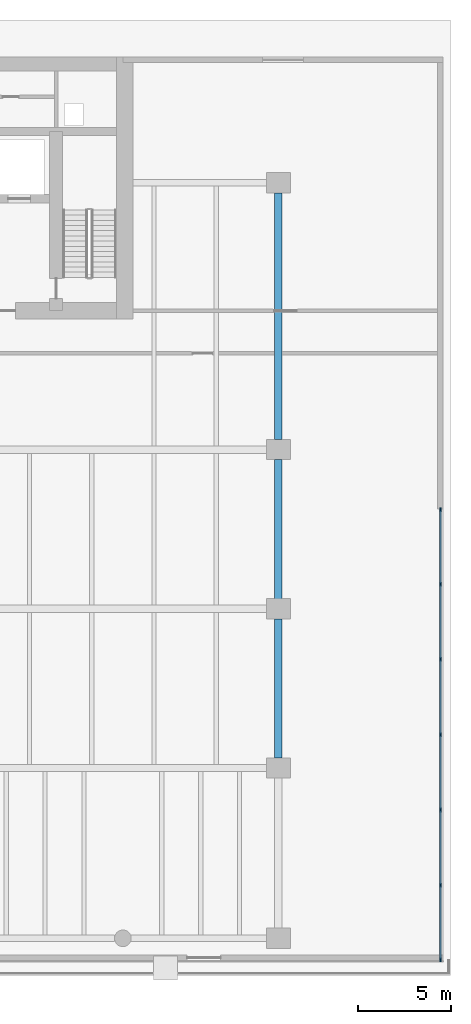
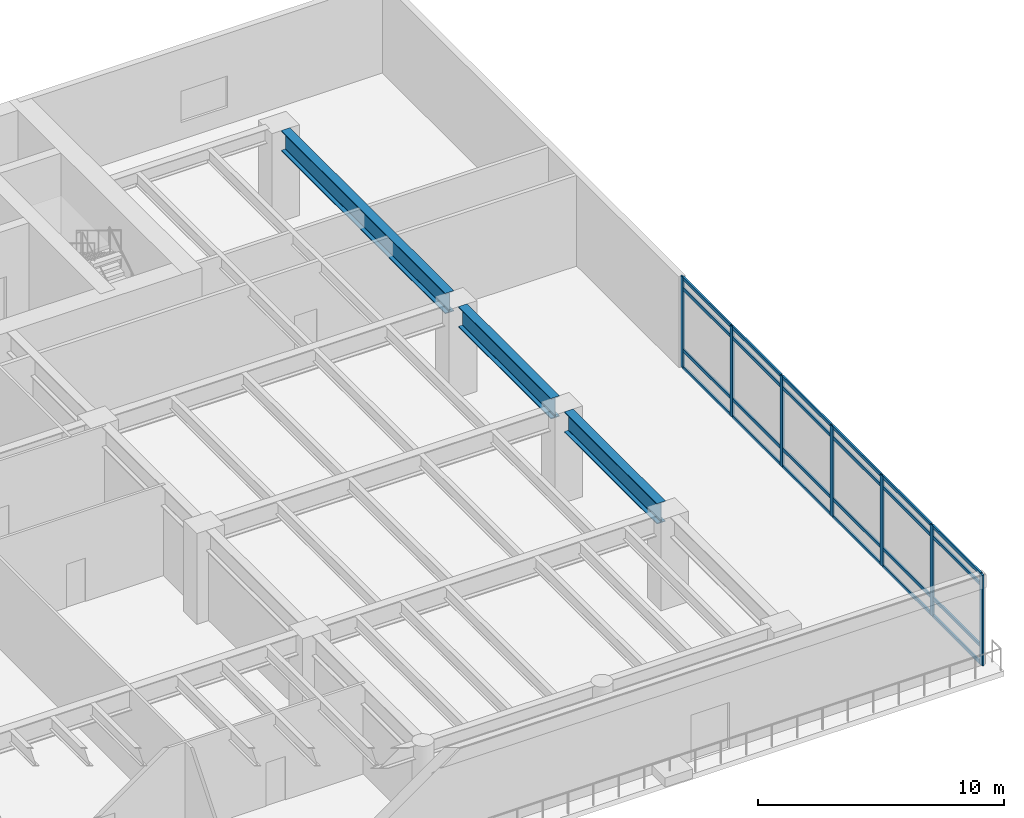
# One storey, part 4 of 14: 31 members, 3 beams, 1 element without a shape of its own.
"""IFC4 building model written with IfcOpenShell, lengths in metres."""

import ifcopenshell
import ifcopenshell.guid

model = None  # the IFC model being written
_history = None  # IfcOwnerHistory: only IFC2X3 demands one
_inside = {}  # id of a spatial element -> (the spatial element, [elements in it])
_under = {}  # id of a project, library or spatial element -> (it, [spatial elements below it])
_declared = {}  # id of a project -> (the project, [libraries it declares])
_typed = {}  # id of a type object -> (the type object, [elements of that type])
_made_of = {}  # id of a material, layer set ... -> (it, [elements and type objects made of it])


def new_model(schema):
    """Start an empty IFC model of exactly this schema.

    Asked for "IFC4X3", IfcOpenShell would pick the latest addendum, in which some entities
    have other attributes; the version numbers below select the first issue.
    IFC2X3 requires an IfcOwnerHistory on every rooted entity: one is made here for all.
    """
    global model, _history
    if schema == "IFC4X3":
        model = ifcopenshell.file(schema_version=(4, 3, 0, 0))
    else:
        model = ifcopenshell.file(schema=schema)
    _inside.clear()
    _under.clear()
    _declared.clear()
    _typed.clear()
    _made_of.clear()
    _history = None
    if model.schema == "IFC2X3":
        org = make("IfcOrganization", Name="unknown")
        user = make(
            "IfcPersonAndOrganization",
            ThePerson=make("IfcPerson", FamilyName="unknown"),
            TheOrganization=org,
        )
        app = make(
            "IfcApplication",
            ApplicationDeveloper=org,
            Version="unknown",
            ApplicationFullName="unknown",
            ApplicationIdentifier="unknown",
        )
        _history = make(
            "IfcOwnerHistory",
            OwningUser=user,
            OwningApplication=app,
            ChangeAction="ADDED",
            CreationDate=0,
        )
    return model


def make(cls, **values):
    """One entity of the class cls with the attributes given. An attribute that is None is left unset."""
    return model.create_entity(
        cls, **{name: value for name, value in values.items() if value is not None}
    )


def rooted(cls, **values):
    """An entity with a GlobalId (a new one), such as an element, a storey or a relation."""
    return make(cls, GlobalId=ifcopenshell.guid.new(), OwnerHistory=_history, **values)


def si_unit(unit_type, name, prefix=None):
    """IfcSIUnit, for example si_unit("LENGTHUNIT", "METRE", prefix="MILLI")."""
    return make("IfcSIUnit", UnitType=unit_type, Prefix=prefix, Name=name)


def assignment(units):
    """IfcUnitAssignment: the units of a project."""
    return None if units is None else make("IfcUnitAssignment", Units=units)


def point(xyz):
    """IfcCartesianPoint."""
    return None if xyz is None else make("IfcCartesianPoint", Coordinates=xyz)


def direction(xyz):
    """IfcDirection."""
    return None if xyz is None else make("IfcDirection", DirectionRatios=xyz)


def frame(location, z_axis=None, x_axis=None):
    """IfcAxis2Placement3D, a coordinate frame: its origin and axes. An axis left out is left unset."""
    return make(
        "IfcAxis2Placement3D",
        Location=point(location),
        Axis=direction(z_axis),
        RefDirection=direction(x_axis),
    )


def frame_2d(location, x_axis=None):
    """IfcAxis2Placement2D, a coordinate frame in the plane: its origin and x axis."""
    return make(
        "IfcAxis2Placement2D", Location=point(location), RefDirection=direction(x_axis)
    )


def origin():
    """The frame at (0, 0, 0) with its axes left unset."""
    return frame((0.0, 0.0, 0.0))


def origin_2d():
    """The frame at (0, 0) in the plane with its x axis left unset."""
    return frame_2d((0.0, 0.0))


def place(relative_to, where):
    """IfcLocalPlacement: puts the frame where relative to a parent placement (None: the world)."""
    return make(
        "IfcLocalPlacement", PlacementRelTo=relative_to, RelativePlacement=where
    )


def context(
    kind, dimensions, precision=None, world=None, true_north=None, identifier=None
):
    """IfcGeometricRepresentationContext, for example the 3D "Model" context."""
    return make(
        "IfcGeometricRepresentationContext",
        ContextIdentifier=identifier,
        ContextType=kind,
        CoordinateSpaceDimension=dimensions,
        Precision=precision,
        WorldCoordinateSystem=world,
        TrueNorth=true_north,
    )


def subcontext(parent, identifier, kind, view, scale=None):
    """IfcGeometricRepresentationSubContext, for example "Body" below "Model"."""
    return make(
        "IfcGeometricRepresentationSubContext",
        ContextIdentifier=identifier,
        ContextType=kind,
        ParentContext=parent,
        TargetScale=scale,
        TargetView=view,
    )


def project(units=None, contexts=None):
    """IfcProject with its units and contexts."""
    return rooted(
        "IfcProject",
        Name="project",
        RepresentationContexts=contexts,
        UnitsInContext=assignment(units),
    )


def spatial(cls, under=None, at=None, **own):
    """A site, building, storey or space (cls), placed at a placement, below another one or the project."""
    s = rooted(cls, ObjectPlacement=at, **own)
    if under is not None:
        _under.setdefault(under.id(), (under, []))[1].append(s)
    return s


def profile(cls, at=None, kind="AREA", **sizes):
    """A parametric profile (cls). Its sizes go by their IFC names, for example OverallWidth=200.0."""
    return make(cls, ProfileType=kind, Position=at, **sizes)


def rectangle(**sizes):
    """IfcRectangleProfileDef."""
    return profile("IfcRectangleProfileDef", **sizes)


def i_section(**sizes):
    """IfcIShapeProfileDef."""
    return profile("IfcIShapeProfileDef", **sizes)


def extrude(swept, where, along, depth):
    """IfcExtrudedAreaSolid: the profile swept, set in the frame where, extruded along a direction by depth."""
    return make(
        "IfcExtrudedAreaSolid",
        SweptArea=swept,
        Position=where,
        ExtrudedDirection=direction(along),
        Depth=depth,
    )


def shape(context_of_items, identifier, shape_type, items):
    """IfcShapeRepresentation: the items that make up one representation, for example the "Body"."""
    return make(
        "IfcShapeRepresentation",
        ContextOfItems=context_of_items,
        RepresentationIdentifier=identifier,
        RepresentationType=shape_type,
        Items=items,
    )


def material(Name=None, Category=None):
    """IfcMaterial."""
    return make("IfcMaterial", Name=Name, Category=Category)


def layer(
    of_material, thickness, ventilated=None, Name=None, Category=None, Priority=None
):
    """IfcMaterialLayer: one layer of a wall or slab, of a material (None: an air gap)."""
    return make(
        "IfcMaterialLayer",
        Material=of_material,
        LayerThickness=thickness,
        IsVentilated=ventilated,
        Name=Name,
        Category=Category,
        Priority=Priority,
    )


def layer_set(layers, Name=None):
    """IfcMaterialLayerSet."""
    return make("IfcMaterialLayerSet", MaterialLayers=layers, LayerSetName=Name)


def material_profile(
    of_material, cross_section, Name=None, Category=None, Priority=None
):
    """IfcMaterialProfile: a cross section and its material."""
    return make(
        "IfcMaterialProfile",
        Name=Name,
        Material=of_material,
        Profile=cross_section,
        Priority=Priority,
        Category=Category,
    )


def profile_set(profiles, Name=None, composite=None):
    """IfcMaterialProfileSet."""
    return make(
        "IfcMaterialProfileSet",
        Name=Name,
        MaterialProfiles=profiles,
        CompositeProfile=composite,
    )


def made_of(thing, what):
    """Note that an element or type object is made of a material, layer set ...; save() writes the relation."""
    if what is not None:
        _made_of.setdefault(what.id(), (what, []))[1].append(thing)
    return thing


def type_object(cls, material=None, **own):
    """A type object (cls), such as IfcWallType, which elements share."""
    return made_of(rooted(cls, **own), material)


def element(
    cls,
    number,
    at=None,
    inside=None,
    cuts=None,
    type_object=None,
    material=None,
    context=None,
    identifier="Body",
    shape_type=None,
    held_by="IfcProductDefinitionShape",
    body=None,
    shapes=None,
    **own,
):
    """One element of the class cls, such as IfcWall. Its Tag is "e" and its number.

    at: its placement. inside: the storey or other place that contains it. cuts: it is an
    opening in that element (IfcRelVoidsElement). A single representation is given by context,
    identifier, shape_type and body (its items); several are given by shapes. held_by: the class
    of the entity that holds the representations. save() writes the other relations.
    """
    e = rooted(cls, Tag="e%d" % number, ObjectPlacement=at, **own)
    if body is not None:
        shapes = [shape(context, identifier, shape_type, body)]
    if shapes is not None:
        e.Representation = make(held_by, Representations=shapes)
    if inside is not None:
        _inside.setdefault(inside.id(), (inside, []))[1].append(e)
    if cuts is not None:
        rooted(
            "IfcRelVoidsElement", RelatingBuildingElement=cuts, RelatedOpeningElement=e
        )
    if type_object is not None:
        _typed.setdefault(type_object.id(), (type_object, []))[1].append(e)
    return made_of(e, material)


def aggregate(whole, parts):
    """IfcRelAggregates: a whole, such as a stair, and the parts it consists of."""
    return rooted("IfcRelAggregates", RelatingObject=whole, RelatedObjects=parts)


def save(model, path):
    """Write the relations noted so far, then the file.

    IfcRelAggregates (storeys below a building ...), IfcRelContainedInSpatialStructure (elements
    in a storey), IfcRelDefinesByType, IfcRelAssociatesMaterial and IfcRelDeclares: one each for
    every whole, place, type object, material and project.
    """
    for whole, parts in _under.values():
        aggregate(whole, parts)
    for where, things in _inside.values():
        rooted(
            "IfcRelContainedInSpatialStructure",
            RelatedElements=things,
            RelatingStructure=where,
        )
    for kind, things in _typed.values():
        rooted("IfcRelDefinesByType", RelatedObjects=things, RelatingType=kind)
    for what, things in _made_of.values():
        rooted("IfcRelAssociatesMaterial", RelatedObjects=things, RelatingMaterial=what)
    for by, libraries in _declared.values():
        rooted("IfcRelDeclares", RelatingContext=by, RelatedDefinitions=libraries)
    model.write(path)


model = new_model("IFC4")

# Units and contexts
model_context = context("Model", 3, precision=1e-05, world=origin(), true_north=direction((0.0, 1.0)))
body_context = subcontext(model_context, "Body", "Model", "MODEL_VIEW")
ifc_project = project(units=[si_unit("LENGTHUNIT", "METRE"), si_unit("AREAUNIT", "SQUARE_METRE"), si_unit("VOLUMEUNIT", "CUBIC_METRE"), si_unit("PLANEANGLEUNIT", "RADIAN"), si_unit("MASSUNIT", "GRAM", prefix="KILO")], contexts=[model_context])

# Site, building, storey
site_placement = place(None, origin())
site = spatial("IfcSite", under=ifc_project, at=site_placement, CompositionType="ELEMENT")
building_placement = place(site_placement, origin())
building = spatial("IfcBuilding", under=site, at=building_placement, Name="Caelmar Bay Residences", CompositionType="ELEMENT")
storey_placement = place(building_placement, frame((0.0, 0.0, 15.0)))
storey = spatial("IfcBuildingStorey", under=building, at=storey_placement, Name="L03", CompositionType="ELEMENT", Elevation=15.0)

# Beams
ifc_material_1 = material(Name="Steel ASTM A992 Grade 50", Category="steel")
ifc_material_profile_1 = material_profile(ifc_material_1, i_section(OverallWidth=0.404052734375, OverallDepth=1.02099609375, WebThickness=0.025390625, FlangeThickness=0.0458984375, FilletRadius=0.02294921875, at=origin_2d()), Name="W40X324")
ifc_profile_set_1 = profile_set([ifc_material_profile_1], Name="Steel ASTM A992 Grade 50")
beam_type = type_object("IfcBeamType", Name="BM-GRD-W40X324", PredefinedType="BEAM", material=ifc_profile_set_1)
for number, where, z_axis, x_axis, name in (
    (1, (67.89990234375, 12.739990234375, 3.989501953125), (0.0, 1.0, 0.0), (-1.0, 0.0, 0.0), "L03 North-South Girder X=67.90 (12.2-20.8)"),
    (2, (67.89990234375, 21.340087890625, 3.989501953125), (0.0, 1.0, 0.0), (-1.0, 0.0, 0.0), "L03 North-South Girder X=67.90 (20.8-29.4)"),
):
    element("IfcBeam", number, at=place(storey_placement, frame(where, z_axis=z_axis, x_axis=x_axis)), inside=storey, type_object=beam_type, Name=name, PredefinedType="BEAM", context=body_context, shape_type="SweptSolid", body=[
        extrude(i_section(OverallWidth=0.404052734375, OverallDepth=1.02099609375, WebThickness=0.025390625, FlangeThickness=0.0458984375, FilletRadius=0.02294921875, at=origin_2d()), origin(), (0.0, 0.0, 1.0), 7.52001953125),
    ])
beam_placement = place(storey_placement, frame((67.89990234375, 29.93994140625, 3.989501953125), z_axis=(0.0, 1.0, 0.0), x_axis=(-1.0, 0.0, 0.0)))
element("IfcBeam", 3, at=beam_placement, inside=storey, type_object=beam_type, Name="L03 North-South Girder X=67.90 (29.4-43.8)", PredefinedType="BEAM", context=body_context, shape_type="SweptSolid", body=[
    extrude(i_section(OverallWidth=0.404052734375, OverallDepth=1.02099609375, WebThickness=0.025390625, FlangeThickness=0.0458984375, FilletRadius=0.02294921875, at=origin_2d()), origin(), (0.0, 0.0, 1.0), 13.320068359375),
])

# Curtain wall, members
ifc_material_2 = material(Name="Anodised bronze aluminium 6063-T6 and laminated glass", Category="aluminium")
ifc_layer = layer(ifc_material_2, 0.179931640625)
ifc_layer_set = layer_set([ifc_layer], Name="Anodised bronze aluminium 6063-T6 and laminated glass")
curtain_wall_type = type_object("IfcCurtainWallType", Name="CW1-POD", PredefinedType="NOTDEFINED", material=ifc_layer_set)
curtain_wall_placement = place(storey_placement, origin())
curtain_wall = element("IfcCurtainWall", 4, at=curtain_wall_placement, inside=storey, type_object=curtain_wall_type, Name="CW1 curtain wall L03", PredefinedType="NOTDEFINED")
ifc_material_3 = material(Name="Anodised bronze aluminium 6063-T6", Category="aluminium")
ifc_material_profile_2 = material_profile(ifc_material_3, rectangle(XDim=0.080078125, YDim=0.219970703125, at=origin_2d()), Name="CWM-80X220")
ifc_profile_set_2 = profile_set([ifc_material_profile_2], Name="Anodised bronze aluminium 6063-T6")
member_type_1 = type_object("IfcMemberType", Name="CWM-220", PredefinedType="MULLION", material=ifc_profile_set_2)
member_1_placement = place(storey_placement, frame((76.64990234375, 26.159912109375, 0.0), z_axis=(0.0, 0.0, 1.0), x_axis=(1.0, 0.0, 0.0)))
member_1 = element("IfcMember", 5, at=member_1_placement, type_object=member_type_1, Name="CW1 mullion 1", PredefinedType="MULLION", context=body_context, shape_type="SweptSolid", body=[
    extrude(rectangle(XDim=0.080078125, YDim=0.219970703125, at=origin_2d()), origin(), (0.0, 0.0, 1.0), 4.5),
])
member_2_placement = place(storey_placement, frame((76.64990234375, 22.13330078125, 0.0), z_axis=(0.0, 0.0, 1.0), x_axis=(1.0, 0.0, 0.0)))
member_2 = element("IfcMember", 6, at=member_2_placement, type_object=member_type_1, Name="CW1 mullion 2", PredefinedType="MULLION", context=body_context, shape_type="SweptSolid", body=[
    extrude(rectangle(XDim=0.080078125, YDim=0.219970703125, at=origin_2d()), origin(), (0.0, 0.0, 1.0), 4.5),
])
member_3_placement = place(storey_placement, frame((76.64990234375, 18.066650390625, 0.0), z_axis=(0.0, 0.0, 1.0), x_axis=(1.0, 0.0, 0.0)))
member_3 = element("IfcMember", 7, at=member_3_placement, type_object=member_type_1, Name="CW1 mullion 3", PredefinedType="MULLION", context=body_context, shape_type="SweptSolid", body=[
    extrude(rectangle(XDim=0.080078125, YDim=0.219970703125, at=origin_2d()), origin(), (0.0, 0.0, 1.0), 4.5),
])
member_4_placement = place(storey_placement, frame((76.64990234375, 14.0, 0.0), z_axis=(0.0, 0.0, 1.0), x_axis=(1.0, 0.0, 0.0)))
member_4 = element("IfcMember", 8, at=member_4_placement, type_object=member_type_1, Name="CW1 mullion 4", PredefinedType="MULLION", context=body_context, shape_type="SweptSolid", body=[
    extrude(rectangle(XDim=0.080078125, YDim=0.219970703125, at=origin_2d()), origin(), (0.0, 0.0, 1.0), 4.5),
])
member_5_placement = place(storey_placement, frame((76.64990234375, 9.933349609375, 0.0), z_axis=(0.0, 0.0, 1.0), x_axis=(1.0, 0.0, 0.0)))
member_5 = element("IfcMember", 9, at=member_5_placement, type_object=member_type_1, Name="CW1 mullion 5", PredefinedType="MULLION", context=body_context, shape_type="SweptSolid", body=[
    extrude(rectangle(XDim=0.080078125, YDim=0.219970703125, at=origin_2d()), origin(), (0.0, 0.0, 1.0), 4.5),
])
member_6_placement = place(storey_placement, frame((76.64990234375, 5.86669921875, 0.0), z_axis=(0.0, 0.0, 1.0), x_axis=(1.0, 0.0, 0.0)))
member_6 = element("IfcMember", 10, at=member_6_placement, type_object=member_type_1, Name="CW1 mullion 6", PredefinedType="MULLION", context=body_context, shape_type="SweptSolid", body=[
    extrude(rectangle(XDim=0.080078125, YDim=0.219970703125, at=origin_2d()), origin(), (0.0, 0.0, 1.0), 4.5),
])
member_7_placement = place(storey_placement, frame((76.64990234375, 1.840087890625, 0.0), z_axis=(0.0, 0.0, 1.0), x_axis=(1.0, 0.0, 0.0)))
member_7 = element("IfcMember", 11, at=member_7_placement, type_object=member_type_1, Name="CW1 mullion 7", PredefinedType="MULLION", context=body_context, shape_type="SweptSolid", body=[
    extrude(rectangle(XDim=0.080078125, YDim=0.219970703125, at=origin_2d()), origin(), (0.0, 0.0, 1.0), 4.5),
])
ifc_material_profile_3 = material_profile(ifc_material_3, rectangle(XDim=0.080078125, YDim=0.159912109375, at=origin_2d()), Name="CWT-80X160")
ifc_profile_set_3 = profile_set([ifc_material_profile_3], Name="Anodised bronze aluminium 6063-T6")
member_type_2 = type_object("IfcMemberType", Name="CWT-160", PredefinedType="NOTDEFINED", material=ifc_profile_set_3)
member_8_placement = place(storey_placement, frame((76.64990234375, 26.1201171875, 0.0400390625), z_axis=(0.0, -1.0, 0.0), x_axis=(1.0, 0.0, 0.0)))
member_8 = element("IfcMember", 12, at=member_8_placement, type_object=member_type_2, Name="CW1 transom 1.1", ObjectType="TRANSOM", PredefinedType="USERDEFINED", context=body_context, shape_type="SweptSolid", body=[
    extrude(rectangle(XDim=0.080078125, YDim=0.159912109375, at=origin_2d()), origin(), (0.0, 0.0, 1.0), 3.94677734375),
])
member_9_placement = place(storey_placement, frame((76.64990234375, 26.1201171875, 0.89990234375), z_axis=(0.0, -1.0, 0.0), x_axis=(1.0, 0.0, 0.0)))
member_9 = element("IfcMember", 13, at=member_9_placement, type_object=member_type_2, Name="CW1 transom 1.2", ObjectType="TRANSOM", PredefinedType="USERDEFINED", context=body_context, shape_type="SweptSolid", body=[
    extrude(rectangle(XDim=0.080078125, YDim=0.159912109375, at=origin_2d()), origin(), (0.0, 0.0, 1.0), 3.94677734375),
])
member_10_placement = place(storey_placement, frame((76.64990234375, 26.1201171875, 3.949951171875), z_axis=(0.0, -1.0, 0.0), x_axis=(1.0, 0.0, 0.0)))
member_10 = element("IfcMember", 14, at=member_10_placement, type_object=member_type_2, Name="CW1 transom 1.3", ObjectType="TRANSOM", PredefinedType="USERDEFINED", context=body_context, shape_type="SweptSolid", body=[
    extrude(rectangle(XDim=0.080078125, YDim=0.159912109375, at=origin_2d()), origin(), (0.0, 0.0, 1.0), 3.94677734375),
])
member_11_placement = place(storey_placement, frame((76.64990234375, 26.1201171875, 4.4599609375), z_axis=(0.0, -1.0, 0.0), x_axis=(1.0, 0.0, 0.0)))
member_11 = element("IfcMember", 15, at=member_11_placement, type_object=member_type_2, Name="CW1 transom 1.4", ObjectType="TRANSOM", PredefinedType="USERDEFINED", context=body_context, shape_type="SweptSolid", body=[
    extrude(rectangle(XDim=0.080078125, YDim=0.159912109375, at=origin_2d()), origin(), (0.0, 0.0, 1.0), 3.94677734375),
])
member_12_placement = place(storey_placement, frame((76.64990234375, 22.09326171875, 0.0400390625), z_axis=(0.0, -1.0, 0.0), x_axis=(1.0, 0.0, 0.0)))
member_12 = element("IfcMember", 16, at=member_12_placement, type_object=member_type_2, Name="CW1 transom 2.1", ObjectType="TRANSOM", PredefinedType="USERDEFINED", context=body_context, shape_type="SweptSolid", body=[
    extrude(rectangle(XDim=0.080078125, YDim=0.159912109375, at=origin_2d()), origin(), (0.0, 0.0, 1.0), 3.986572265625),
])
member_13_placement = place(storey_placement, frame((76.64990234375, 22.09326171875, 0.89990234375), z_axis=(0.0, -1.0, 0.0), x_axis=(1.0, 0.0, 0.0)))
member_13 = element("IfcMember", 17, at=member_13_placement, type_object=member_type_2, Name="CW1 transom 2.2", ObjectType="TRANSOM", PredefinedType="USERDEFINED", context=body_context, shape_type="SweptSolid", body=[
    extrude(rectangle(XDim=0.080078125, YDim=0.159912109375, at=origin_2d()), origin(), (0.0, 0.0, 1.0), 3.986572265625),
])
member_14_placement = place(storey_placement, frame((76.64990234375, 22.09326171875, 3.949951171875), z_axis=(0.0, -1.0, 0.0), x_axis=(1.0, 0.0, 0.0)))
member_14 = element("IfcMember", 18, at=member_14_placement, type_object=member_type_2, Name="CW1 transom 2.3", ObjectType="TRANSOM", PredefinedType="USERDEFINED", context=body_context, shape_type="SweptSolid", body=[
    extrude(rectangle(XDim=0.080078125, YDim=0.159912109375, at=origin_2d()), origin(), (0.0, 0.0, 1.0), 3.986572265625),
])
member_15_placement = place(storey_placement, frame((76.64990234375, 22.09326171875, 4.4599609375), z_axis=(0.0, -1.0, 0.0), x_axis=(1.0, 0.0, 0.0)))
member_15 = element("IfcMember", 19, at=member_15_placement, type_object=member_type_2, Name="CW1 transom 2.4", ObjectType="TRANSOM", PredefinedType="USERDEFINED", context=body_context, shape_type="SweptSolid", body=[
    extrude(rectangle(XDim=0.080078125, YDim=0.159912109375, at=origin_2d()), origin(), (0.0, 0.0, 1.0), 3.986572265625),
])
member_16_placement = place(storey_placement, frame((76.64990234375, 18.026611328125, 0.0400390625), z_axis=(0.0, -1.0, 0.0), x_axis=(1.0, 0.0, 0.0)))
member_16 = element("IfcMember", 20, at=member_16_placement, type_object=member_type_2, Name="CW1 transom 3.1", ObjectType="TRANSOM", PredefinedType="USERDEFINED", context=body_context, shape_type="SweptSolid", body=[
    extrude(rectangle(XDim=0.080078125, YDim=0.159912109375, at=origin_2d()), origin(), (0.0, 0.0, 1.0), 3.986572265625),
])
member_17_placement = place(storey_placement, frame((76.64990234375, 18.026611328125, 0.89990234375), z_axis=(0.0, -1.0, 0.0), x_axis=(1.0, 0.0, 0.0)))
member_17 = element("IfcMember", 21, at=member_17_placement, type_object=member_type_2, Name="CW1 transom 3.2", ObjectType="TRANSOM", PredefinedType="USERDEFINED", context=body_context, shape_type="SweptSolid", body=[
    extrude(rectangle(XDim=0.080078125, YDim=0.159912109375, at=origin_2d()), origin(), (0.0, 0.0, 1.0), 3.986572265625),
])
member_18_placement = place(storey_placement, frame((76.64990234375, 18.026611328125, 3.949951171875), z_axis=(0.0, -1.0, 0.0), x_axis=(1.0, 0.0, 0.0)))
member_18 = element("IfcMember", 22, at=member_18_placement, type_object=member_type_2, Name="CW1 transom 3.3", ObjectType="TRANSOM", PredefinedType="USERDEFINED", context=body_context, shape_type="SweptSolid", body=[
    extrude(rectangle(XDim=0.080078125, YDim=0.159912109375, at=origin_2d()), origin(), (0.0, 0.0, 1.0), 3.986572265625),
])
member_19_placement = place(storey_placement, frame((76.64990234375, 18.026611328125, 4.4599609375), z_axis=(0.0, -1.0, 0.0), x_axis=(1.0, 0.0, 0.0)))
member_19 = element("IfcMember", 23, at=member_19_placement, type_object=member_type_2, Name="CW1 transom 3.4", ObjectType="TRANSOM", PredefinedType="USERDEFINED", context=body_context, shape_type="SweptSolid", body=[
    extrude(rectangle(XDim=0.080078125, YDim=0.159912109375, at=origin_2d()), origin(), (0.0, 0.0, 1.0), 3.986572265625),
])
member_20_placement = place(storey_placement, frame((76.64990234375, 13.9599609375, 0.0400390625), z_axis=(0.0, -1.0, 0.0), x_axis=(1.0, 0.0, 0.0)))
member_20 = element("IfcMember", 24, at=member_20_placement, type_object=member_type_2, Name="CW1 transom 4.1", ObjectType="TRANSOM", PredefinedType="USERDEFINED", context=body_context, shape_type="SweptSolid", body=[
    extrude(rectangle(XDim=0.080078125, YDim=0.159912109375, at=origin_2d()), origin(), (0.0, 0.0, 1.0), 3.986572265625),
])
member_21_placement = place(storey_placement, frame((76.64990234375, 13.9599609375, 0.89990234375), z_axis=(0.0, -1.0, 0.0), x_axis=(1.0, 0.0, 0.0)))
member_21 = element("IfcMember", 25, at=member_21_placement, type_object=member_type_2, Name="CW1 transom 4.2", ObjectType="TRANSOM", PredefinedType="USERDEFINED", context=body_context, shape_type="SweptSolid", body=[
    extrude(rectangle(XDim=0.080078125, YDim=0.159912109375, at=origin_2d()), origin(), (0.0, 0.0, 1.0), 3.986572265625),
])
member_22_placement = place(storey_placement, frame((76.64990234375, 13.9599609375, 3.949951171875), z_axis=(0.0, -1.0, 0.0), x_axis=(1.0, 0.0, 0.0)))
member_22 = element("IfcMember", 26, at=member_22_placement, type_object=member_type_2, Name="CW1 transom 4.3", ObjectType="TRANSOM", PredefinedType="USERDEFINED", context=body_context, shape_type="SweptSolid", body=[
    extrude(rectangle(XDim=0.080078125, YDim=0.159912109375, at=origin_2d()), origin(), (0.0, 0.0, 1.0), 3.986572265625),
])
member_23_placement = place(storey_placement, frame((76.64990234375, 13.9599609375, 4.4599609375), z_axis=(0.0, -1.0, 0.0), x_axis=(1.0, 0.0, 0.0)))
member_23 = element("IfcMember", 27, at=member_23_placement, type_object=member_type_2, Name="CW1 transom 4.4", ObjectType="TRANSOM", PredefinedType="USERDEFINED", context=body_context, shape_type="SweptSolid", body=[
    extrude(rectangle(XDim=0.080078125, YDim=0.159912109375, at=origin_2d()), origin(), (0.0, 0.0, 1.0), 3.986572265625),
])
member_24_placement = place(storey_placement, frame((76.64990234375, 9.893310546875, 0.0400390625), z_axis=(0.0, -1.0, 0.0), x_axis=(1.0, 0.0, 0.0)))
member_24 = element("IfcMember", 28, at=member_24_placement, type_object=member_type_2, Name="CW1 transom 5.1", ObjectType="TRANSOM", PredefinedType="USERDEFINED", context=body_context, shape_type="SweptSolid", body=[
    extrude(rectangle(XDim=0.080078125, YDim=0.159912109375, at=origin_2d()), origin(), (0.0, 0.0, 1.0), 3.986572265625),
])
member_25_placement = place(storey_placement, frame((76.64990234375, 9.893310546875, 0.89990234375), z_axis=(0.0, -1.0, 0.0), x_axis=(1.0, 0.0, 0.0)))
member_25 = element("IfcMember", 29, at=member_25_placement, type_object=member_type_2, Name="CW1 transom 5.2", ObjectType="TRANSOM", PredefinedType="USERDEFINED", context=body_context, shape_type="SweptSolid", body=[
    extrude(rectangle(XDim=0.080078125, YDim=0.159912109375, at=origin_2d()), origin(), (0.0, 0.0, 1.0), 3.986572265625),
])
member_26_placement = place(storey_placement, frame((76.64990234375, 9.893310546875, 3.949951171875), z_axis=(0.0, -1.0, 0.0), x_axis=(1.0, 0.0, 0.0)))
member_26 = element("IfcMember", 30, at=member_26_placement, type_object=member_type_2, Name="CW1 transom 5.3", ObjectType="TRANSOM", PredefinedType="USERDEFINED", context=body_context, shape_type="SweptSolid", body=[
    extrude(rectangle(XDim=0.080078125, YDim=0.159912109375, at=origin_2d()), origin(), (0.0, 0.0, 1.0), 3.986572265625),
])
member_27_placement = place(storey_placement, frame((76.64990234375, 9.893310546875, 4.4599609375), z_axis=(0.0, -1.0, 0.0), x_axis=(1.0, 0.0, 0.0)))
member_27 = element("IfcMember", 31, at=member_27_placement, type_object=member_type_2, Name="CW1 transom 5.4", ObjectType="TRANSOM", PredefinedType="USERDEFINED", context=body_context, shape_type="SweptSolid", body=[
    extrude(rectangle(XDim=0.080078125, YDim=0.159912109375, at=origin_2d()), origin(), (0.0, 0.0, 1.0), 3.986572265625),
])
member_28_placement = place(storey_placement, frame((76.64990234375, 5.82666015625, 0.0400390625), z_axis=(0.0, -1.0, 0.0), x_axis=(1.0, 0.0, 0.0)))
member_28 = element("IfcMember", 32, at=member_28_placement, type_object=member_type_2, Name="CW1 transom 6.1", ObjectType="TRANSOM", PredefinedType="USERDEFINED", context=body_context, shape_type="SweptSolid", body=[
    extrude(rectangle(XDim=0.080078125, YDim=0.159912109375, at=origin_2d()), origin(), (0.0, 0.0, 1.0), 3.94677734375),
])
member_29_placement = place(storey_placement, frame((76.64990234375, 5.82666015625, 0.89990234375), z_axis=(0.0, -1.0, 0.0), x_axis=(1.0, 0.0, 0.0)))
member_29 = element("IfcMember", 33, at=member_29_placement, type_object=member_type_2, Name="CW1 transom 6.2", ObjectType="TRANSOM", PredefinedType="USERDEFINED", context=body_context, shape_type="SweptSolid", body=[
    extrude(rectangle(XDim=0.080078125, YDim=0.159912109375, at=origin_2d()), origin(), (0.0, 0.0, 1.0), 3.94677734375),
])
member_30_placement = place(storey_placement, frame((76.64990234375, 5.82666015625, 3.949951171875), z_axis=(0.0, -1.0, 0.0), x_axis=(1.0, 0.0, 0.0)))
member_30 = element("IfcMember", 34, at=member_30_placement, type_object=member_type_2, Name="CW1 transom 6.3", ObjectType="TRANSOM", PredefinedType="USERDEFINED", context=body_context, shape_type="SweptSolid", body=[
    extrude(rectangle(XDim=0.080078125, YDim=0.159912109375, at=origin_2d()), origin(), (0.0, 0.0, 1.0), 3.94677734375),
])
member_31_placement = place(storey_placement, frame((76.64990234375, 5.82666015625, 4.4599609375), z_axis=(0.0, -1.0, 0.0), x_axis=(1.0, 0.0, 0.0)))
member_31 = element("IfcMember", 35, at=member_31_placement, type_object=member_type_2, Name="CW1 transom 6.4", ObjectType="TRANSOM", PredefinedType="USERDEFINED", context=body_context, shape_type="SweptSolid", body=[
    extrude(rectangle(XDim=0.080078125, YDim=0.159912109375, at=origin_2d()), origin(), (0.0, 0.0, 1.0), 3.94677734375),
])
aggregate(curtain_wall, [member_1, member_2, member_3, member_4, member_5, member_6, member_7, member_8, member_9, member_10, member_11, member_12, member_13, member_14, member_15, member_16, member_17, member_18, member_19, member_20, member_21, member_22, member_23, member_24, member_25, member_26, member_27, member_28, member_29, member_30, member_31])

save(model, "model.ifc")
